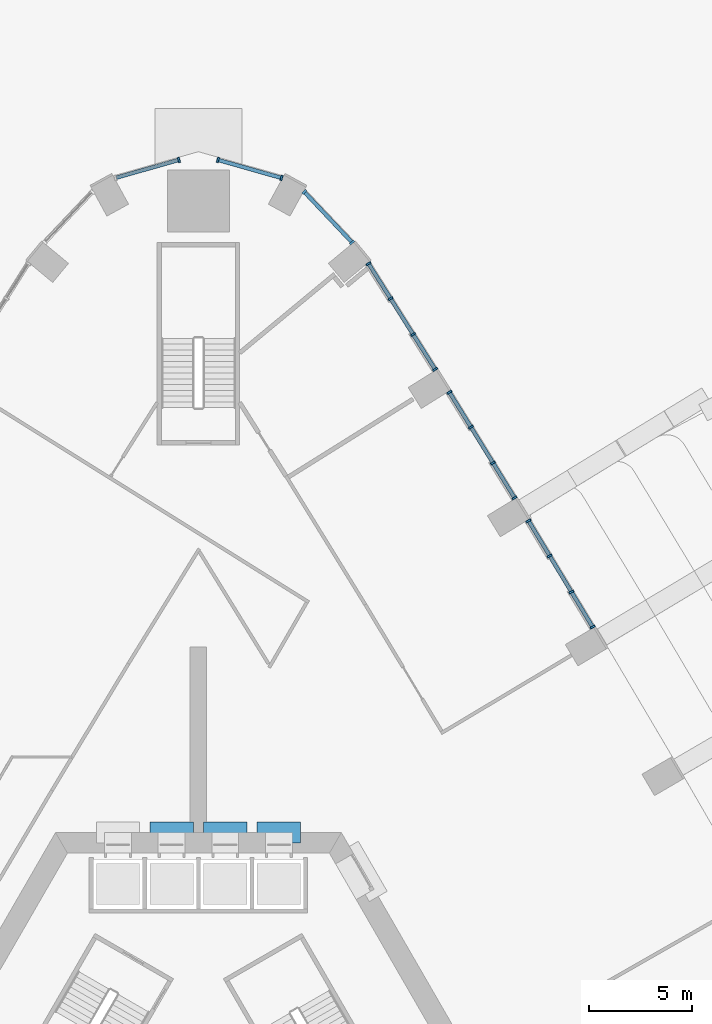
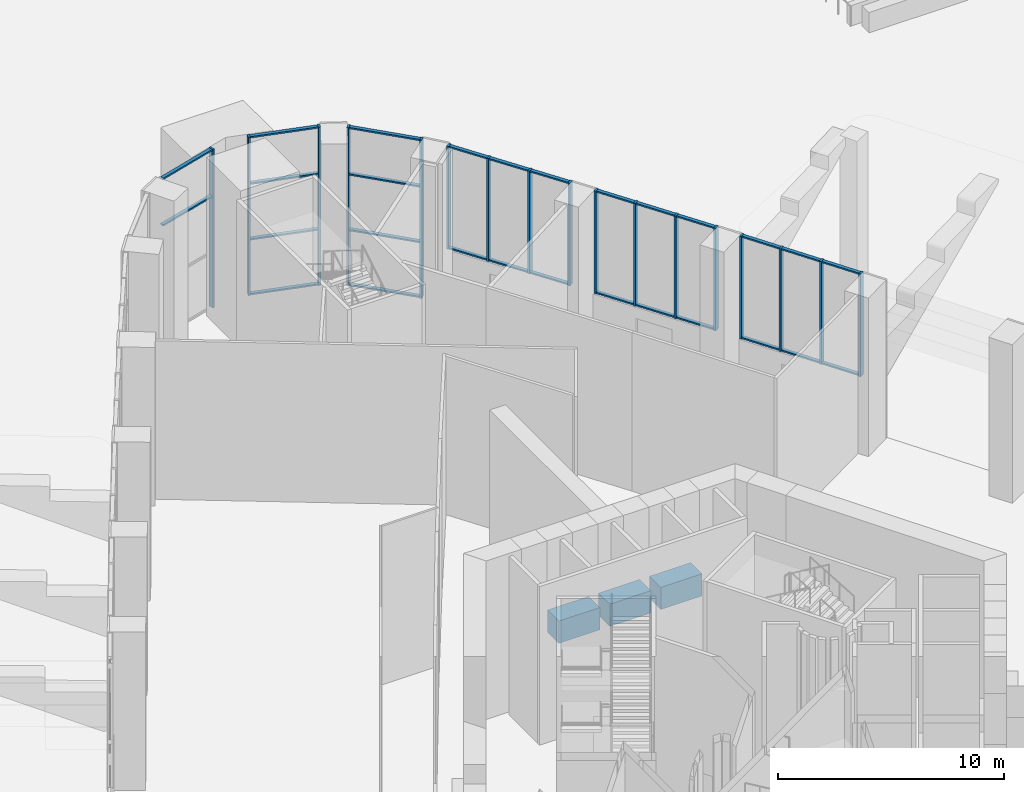
# One storey, part 9 of 36: 45 members, 3 beams, 6 elements without a shape of their own.
"""IFC4 building model written with IfcOpenShell, lengths in metres."""

from ifc_helpers import new_model, si_unit, direction, frame, origin, origin_2d, place, context, subcontext, project, spatial, rectangle, extrude, material, material_profile, profile_set, type_object, element, aggregate, save


model = new_model("IFC4")

# Units and contexts
model_context = context("Model", 3, precision=1e-05, world=origin(), true_north=direction((0.0, 1.0)))
body_context = subcontext(model_context, "Body", "Model", "MODEL_VIEW")
ifc_project = project(units=[si_unit("LENGTHUNIT", "METRE"), si_unit("AREAUNIT", "SQUARE_METRE"), si_unit("VOLUMEUNIT", "CUBIC_METRE"), si_unit("PLANEANGLEUNIT", "RADIAN"), si_unit("MASSUNIT", "GRAM", prefix="KILO")], contexts=[model_context])

# Site, building, storey
site_placement = place(None, origin())
site = spatial("IfcSite", under=ifc_project, at=site_placement, CompositionType="ELEMENT")
building_placement = place(site_placement, origin())
building = spatial("IfcBuilding", under=site, at=building_placement, Name="Entoto Arch Interchange Tower", CompositionType="ELEMENT")
storey_placement = place(building_placement, origin())
storey = spatial("IfcBuildingStorey", under=building, at=storey_placement, Name="L00", CompositionType="ELEMENT", Elevation=0.0)

# Beams
ifc_material_1 = material(Name="Concrete C60/75", Category="concrete")
ifc_material_profile_1 = material_profile(ifc_material_1, rectangle(XDim=1.0, YDim=1.199951171875, at=origin_2d()))
ifc_profile_set_1 = profile_set([ifc_material_profile_1], Name="Concrete C60/75")
beam_type = type_object("IfcBeamType", Name="Coupling beam RC 1000x1200 C60/75", PredefinedType="BEAM", material=ifc_profile_set_1)
beam_placement = place(storey_placement, frame((4.949951171875, 14.5, 3.0), z_axis=(-1.0, 0.0, 0.0), x_axis=(0.0, -1.0, 0.0)))
element("IfcBeam", 1, at=beam_placement, inside=storey, type_object=beam_type, Name="Coupling beam N L00", PredefinedType="BEAM", context=body_context, shape_type="SweptSolid", body=[
    extrude(rectangle(XDim=1.0, YDim=1.199951171875, at=origin_2d()), origin(), (0.0, 0.0, 1.0), 2.099853515625),
])
for number, where, z_axis, x_axis, name in (
    (2, (2.35009765625, 14.5, 3.0), (-1.0, 0.0, 0.0), (0.0, -1.0, 0.0), "Coupling beam N L00"),
    (3, (-0.25, 14.5, 3.0), (-1.0, 0.0, 0.0), (0.0, -1.0, 0.0), "Coupling beam N L00"),
):
    element("IfcBeam", number, at=place(storey_placement, frame(where, z_axis=z_axis, x_axis=x_axis)), inside=storey, type_object=beam_type, Name=name, PredefinedType="BEAM", context=body_context, shape_type="SweptSolid", body=[
        extrude(rectangle(XDim=1.0, YDim=1.199951171875, at=origin_2d()), origin(), (0.0, 0.0, 1.0), 2.10009765625),
    ])

# Curtain wall, members
ifc_material_2 = material(Name="Aluminium, anodised", Category="aluminium")
curtain_wall_type = type_object("IfcCurtainWallType", Name="CURTAIN WALL GATE HALL", PredefinedType="NOTDEFINED", material=ifc_material_2)
curtain_wall_1_placement = place(storey_placement, origin())
curtain_wall_1 = element("IfcCurtainWall", 4, at=curtain_wall_1_placement, inside=storey, type_object=curtain_wall_type, Name="Gate Hall glazing NE-07 L00", PredefinedType="NOTDEFINED")
ifc_material_profile_2 = material_profile(ifc_material_2, rectangle(XDim=0.25, YDim=0.10009765625, at=origin_2d()))
ifc_profile_set_2 = profile_set([ifc_material_profile_2], Name="Aluminium, anodised")
member_type_1 = type_object("IfcMemberType", Name="MULLION GATE HALL 100x250", PredefinedType="MULLION", material=ifc_profile_set_2)
member_1_placement = place(storey_placement, frame((19.111083984375, 24.462890625, 3.0), z_axis=(0.0, 0.0, 1.0), x_axis=(-0.856177687614, -0.516681494958, 0.0)))
member_1 = element("IfcMember", 5, at=member_1_placement, type_object=member_type_1, Name="CWG mullion 1", PredefinedType="MULLION", context=body_context, shape_type="SweptSolid", body=[
    extrude(rectangle(XDim=0.25, YDim=0.10009765625, at=origin_2d()), origin(), (0.0, 0.0, 1.0), 5.550048828125),
])
member_2_placement = place(storey_placement, frame((18.083251953125, 26.166015625, 3.0), z_axis=(0.0, 0.0, 1.0), x_axis=(-0.856177687614, -0.516681494958, 0.0)))
member_2 = element("IfcMember", 6, at=member_2_placement, type_object=member_type_1, Name="CWG mullion 2", PredefinedType="MULLION", context=body_context, shape_type="SweptSolid", body=[
    extrude(rectangle(XDim=0.25, YDim=0.10009765625, at=origin_2d()), origin(), (0.0, 0.0, 1.0), 5.550048828125),
])
member_3_placement = place(storey_placement, frame((17.02978515625, 27.912109375, 3.0), z_axis=(0.0, 0.0, 1.0), x_axis=(-0.856177687614, -0.516681494958, 0.0)))
member_3 = element("IfcMember", 7, at=member_3_placement, type_object=member_type_1, Name="CWG mullion 3", PredefinedType="MULLION", context=body_context, shape_type="SweptSolid", body=[
    extrude(rectangle(XDim=0.25, YDim=0.10009765625, at=origin_2d()), origin(), (0.0, 0.0, 1.0), 5.550048828125),
])
member_4_placement = place(storey_placement, frame((16.001953125, 29.615234375, 3.0), z_axis=(0.0, 0.0, 1.0), x_axis=(-0.856177687614, -0.516681494958, 0.0)))
member_4 = element("IfcMember", 8, at=member_4_placement, type_object=member_type_1, Name="CWG mullion 4", PredefinedType="MULLION", context=body_context, shape_type="SweptSolid", body=[
    extrude(rectangle(XDim=0.25, YDim=0.10009765625, at=origin_2d()), origin(), (0.0, 0.0, 1.0), 5.550048828125),
])

curtain_wall_2_placement = place(storey_placement, origin())
curtain_wall_2 = element("IfcCurtainWall", 9, at=curtain_wall_2_placement, inside=storey, type_object=curtain_wall_type, Name="Gate Hall glazing NE-08 L00", PredefinedType="NOTDEFINED")
member_5_placement = place(storey_placement, frame((15.32470703125, 30.7275390625, 3.0), z_axis=(0.0, 0.0, 1.0), x_axis=(-0.851096618494, -0.525009091339, 0.0)))
member_5 = element("IfcMember", 10, at=member_5_placement, type_object=member_type_1, Name="CWG mullion 1", PredefinedType="MULLION", context=body_context, shape_type="SweptSolid", body=[
    extrude(rectangle(XDim=0.25, YDim=0.10009765625, at=origin_2d()), origin(), (0.0, 0.0, 1.0), 5.550048828125),
])
member_6_placement = place(storey_placement, frame((14.2802734375, 32.420654296875, 3.0), z_axis=(0.0, 0.0, 1.0), x_axis=(-0.851096618494, -0.525009091339, 0.0)))
member_6 = element("IfcMember", 11, at=member_6_placement, type_object=member_type_1, Name="CWG mullion 2", PredefinedType="MULLION", context=body_context, shape_type="SweptSolid", body=[
    extrude(rectangle(XDim=0.25, YDim=0.10009765625, at=origin_2d()), origin(), (0.0, 0.0, 1.0), 5.550048828125),
])
member_7_placement = place(storey_placement, frame((13.209716796875, 34.15625, 3.0), z_axis=(0.0, 0.0, 1.0), x_axis=(-0.851096618494, -0.525009091339, 0.0)))
member_7 = element("IfcMember", 12, at=member_7_placement, type_object=member_type_1, Name="CWG mullion 3", PredefinedType="MULLION", context=body_context, shape_type="SweptSolid", body=[
    extrude(rectangle(XDim=0.25, YDim=0.10009765625, at=origin_2d()), origin(), (0.0, 0.0, 1.0), 5.550048828125),
])
member_8_placement = place(storey_placement, frame((12.165283203125, 35.849365234375, 3.0), z_axis=(0.0, 0.0, 1.0), x_axis=(-0.851096618494, -0.525009091339, 0.0)))
member_8 = element("IfcMember", 13, at=member_8_placement, type_object=member_type_1, Name="CWG mullion 4", PredefinedType="MULLION", context=body_context, shape_type="SweptSolid", body=[
    extrude(rectangle(XDim=0.25, YDim=0.10009765625, at=origin_2d()), origin(), (0.0, 0.0, 1.0), 5.550048828125),
])

curtain_wall_3_placement = place(storey_placement, origin())
curtain_wall_3 = element("IfcCurtainWall", 14, at=curtain_wall_3_placement, inside=storey, type_object=curtain_wall_type, Name="Gate Hall glazing NE-09 L00", PredefinedType="NOTDEFINED")
member_9_placement = place(storey_placement, frame((11.477294921875, 36.954345703125, 3.0), z_axis=(0.0, 0.0, 1.0), x_axis=(-0.845959022564, -0.533247908708, 0.0)))
member_9 = element("IfcMember", 15, at=member_9_placement, type_object=member_type_1, Name="CWG mullion 1", PredefinedType="MULLION", context=body_context, shape_type="SweptSolid", body=[
    extrude(rectangle(XDim=0.25, YDim=0.10009765625, at=origin_2d()), origin(), (0.0, 0.0, 1.0), 5.550048828125),
])
member_10_placement = place(storey_placement, frame((10.40869140625, 38.649658203125, 3.0), z_axis=(0.0, 0.0, 1.0), x_axis=(-0.845959022564, -0.533247908708, 0.0)))
member_10 = element("IfcMember", 16, at=member_10_placement, type_object=member_type_1, Name="CWG mullion 2", PredefinedType="MULLION", context=body_context, shape_type="SweptSolid", body=[
    extrude(rectangle(XDim=0.25, YDim=0.10009765625, at=origin_2d()), origin(), (0.0, 0.0, 1.0), 5.550048828125),
])
member_11_placement = place(storey_placement, frame((9.313232421875, 40.387451171875, 3.0), z_axis=(0.0, 0.0, 1.0), x_axis=(-0.845959022564, -0.533247908708, 0.0)))
member_11 = element("IfcMember", 17, at=member_11_placement, type_object=member_type_1, Name="CWG mullion 3", PredefinedType="MULLION", context=body_context, shape_type="SweptSolid", body=[
    extrude(rectangle(XDim=0.25, YDim=0.10009765625, at=origin_2d()), origin(), (0.0, 0.0, 1.0), 5.550048828125),
])
member_12_placement = place(storey_placement, frame((8.24462890625, 42.082763671875, 3.0), z_axis=(0.0, 0.0, 1.0), x_axis=(-0.845959022564, -0.533247908708, 0.0)))
member_12 = element("IfcMember", 18, at=member_12_placement, type_object=member_type_1, Name="CWG mullion 4", PredefinedType="MULLION", context=body_context, shape_type="SweptSolid", body=[
    extrude(rectangle(XDim=0.25, YDim=0.10009765625, at=origin_2d()), origin(), (0.0, 0.0, 1.0), 5.550048828125),
])

curtain_wall_4_placement = place(storey_placement, origin())
curtain_wall_4 = element("IfcCurtainWall", 19, at=curtain_wall_4_placement, inside=storey, type_object=curtain_wall_type, Name="Gate Hall glazing N-01 L00", PredefinedType="NOTDEFINED")
member_13_placement = place(storey_placement, frame((7.44775390625, 43.111328125, 0.0), z_axis=(0.0, 0.0, 1.0), x_axis=(-0.726725176069, -0.686928321201, 0.0)))
member_13 = element("IfcMember", 20, at=member_13_placement, type_object=member_type_1, Name="CWG mullion 1", PredefinedType="MULLION", context=body_context, shape_type="SweptSolid", body=[
    extrude(rectangle(XDim=0.25, YDim=0.10009765625, at=origin_2d()), origin(), (0.0, 0.0, 1.0), 8.550048828125),
])
member_14_placement = place(storey_placement, frame((5.13427734375, 45.55859375, 0.0), z_axis=(0.0, 0.0, 1.0), x_axis=(-0.726725176069, -0.686928321201, 0.0)))
member_14 = element("IfcMember", 21, at=member_14_placement, type_object=member_type_1, Name="CWG mullion 2", PredefinedType="MULLION", context=body_context, shape_type="SweptSolid", body=[
    extrude(rectangle(XDim=0.25, YDim=0.10009765625, at=origin_2d()), origin(), (0.0, 0.0, 1.0), 8.550048828125),
])

curtain_wall_5_placement = place(storey_placement, origin())
curtain_wall_5 = element("IfcCurtainWall", 22, at=curtain_wall_5_placement, inside=storey, type_object=curtain_wall_type, Name="Gate Hall glazing N-02 L00", PredefinedType="NOTDEFINED")
member_15_placement = place(storey_placement, frame((4.02587890625, 46.23876953125, 0.0), z_axis=(0.0, 0.0, 1.0), x_axis=(-0.273280275934, -0.961934452437, 0.0)))
member_15 = element("IfcMember", 23, at=member_15_placement, type_object=member_type_1, Name="CWG mullion 1", PredefinedType="MULLION", context=body_context, shape_type="SweptSolid", body=[
    extrude(rectangle(XDim=0.25, YDim=0.10009765625, at=origin_2d()), origin(), (0.0, 0.0, 1.0), 8.550048828125),
])
member_16_placement = place(storey_placement, frame((0.947021484375, 47.11328125, 0.0), z_axis=(0.0, 0.0, 1.0), x_axis=(-0.273280275934, -0.961934452437, 0.0)))
member_16 = element("IfcMember", 24, at=member_16_placement, type_object=member_type_1, Name="CWG mullion 2", PredefinedType="MULLION", context=body_context, shape_type="SweptSolid", body=[
    extrude(rectangle(XDim=0.25, YDim=0.10009765625, at=origin_2d()), origin(), (0.0, 0.0, 1.0), 8.550048828125),
])

# Curtain wall, member
curtain_wall_6_placement = place(storey_placement, origin())
curtain_wall_6 = element("IfcCurtainWall", 25, at=curtain_wall_6_placement, inside=storey, type_object=curtain_wall_type, Name="Gate Hall glazing N-03 L00", PredefinedType="NOTDEFINED")
member_17_placement = place(storey_placement, frame((-0.947021484375, 47.11328125, 0.0), z_axis=(0.0, 0.0, 1.0), x_axis=(0.273280275934, -0.961934452437, 0.0)))
member_17 = element("IfcMember", 26, at=member_17_placement, type_object=member_type_1, Name="CWG mullion 1", PredefinedType="MULLION", context=body_context, shape_type="SweptSolid", body=[
    extrude(rectangle(XDim=0.25, YDim=0.10009765625, at=origin_2d()), origin(), (0.0, 0.0, 1.0), 8.550048828125),
])

# Member
ifc_material_profile_3 = material_profile(ifc_material_2, rectangle(XDim=0.179931640625, YDim=0.080078125, at=origin_2d()))
ifc_profile_set_3 = profile_set([ifc_material_profile_3], Name="Aluminium, anodised")
member_type_2 = type_object("IfcMemberType", Name="TRANSOM GATE HALL 80x180", PredefinedType="USERDEFINED", material=ifc_profile_set_3)
member_18_placement = place(storey_placement, frame((19.08544921875, 24.505615234375, 3.0400390625), z_axis=(-0.516717225965, 0.856156123842, 0.0), x_axis=(-0.856156123842, -0.516717225965, 0.0)))
member_18 = element("IfcMember", 27, at=member_18_placement, type_object=member_type_2, Name="CWG transom 1.1", ObjectType="TRANSOM", PredefinedType="USERDEFINED", context=body_context, shape_type="SweptSolid", body=[
    extrude(rectangle(XDim=0.179931640625, YDim=0.080078125, at=origin_2d()), origin(), (0.0, 0.0, 1.0), 1.889404296875),
])

member_19_placement = place(storey_placement, frame((19.08544921875, 24.505615234375, 8.510009765625), z_axis=(-0.516717225965, 0.856156123842, 0.0), x_axis=(-0.856156123842, -0.516717225965, 0.0)))
member_19 = element("IfcMember", 28, at=member_19_placement, type_object=member_type_2, Name="CWG transom 1.2", ObjectType="TRANSOM", PredefinedType="USERDEFINED", context=body_context, shape_type="SweptSolid", body=[
    extrude(rectangle(XDim=0.179931640625, YDim=0.080078125, at=origin_2d()), origin(), (0.0, 0.0, 1.0), 1.889404296875),
])

member_20_placement = place(storey_placement, frame((18.0576171875, 26.208740234375, 3.0400390625), z_axis=(-0.516752472031, 0.856134850739, 0.0), x_axis=(-0.856134850739, -0.516752472031, 0.0)))
member_20 = element("IfcMember", 29, at=member_20_placement, type_object=member_type_2, Name="CWG transom 2.1", ObjectType="TRANSOM", PredefinedType="USERDEFINED", context=body_context, shape_type="SweptSolid", body=[
    extrude(rectangle(XDim=0.179931640625, YDim=0.080078125, at=origin_2d()), origin(), (0.0, 0.0, 1.0), 1.939453125),
])

member_21_placement = place(storey_placement, frame((18.0576171875, 26.208740234375, 8.510009765625), z_axis=(-0.516752472031, 0.856134850739, 0.0), x_axis=(-0.856134850739, -0.516752472031, 0.0)))
member_21 = element("IfcMember", 30, at=member_21_placement, type_object=member_type_2, Name="CWG transom 2.2", ObjectType="TRANSOM", PredefinedType="USERDEFINED", context=body_context, shape_type="SweptSolid", body=[
    extrude(rectangle(XDim=0.179931640625, YDim=0.080078125, at=origin_2d()), origin(), (0.0, 0.0, 1.0), 1.939453125),
])

member_22_placement = place(storey_placement, frame((17.00390625, 27.954833984375, 3.0400390625), z_axis=(-0.516774393141, 0.856121619044, 0.0), x_axis=(-0.856121619044, -0.516774393141, 0.0)))
member_22 = element("IfcMember", 31, at=member_22_placement, type_object=member_type_2, Name="CWG transom 3.1", ObjectType="TRANSOM", PredefinedType="USERDEFINED", context=body_context, shape_type="SweptSolid", body=[
    extrude(rectangle(XDim=0.179931640625, YDim=0.080078125, at=origin_2d()), origin(), (0.0, 0.0, 1.0), 1.88916015625),
])

member_23_placement = place(storey_placement, frame((17.00390625, 27.954833984375, 8.510009765625), z_axis=(-0.516774393141, 0.856121619044, 0.0), x_axis=(-0.856121619044, -0.516774393141, 0.0)))
member_23 = element("IfcMember", 32, at=member_23_placement, type_object=member_type_2, Name="CWG transom 3.2", ObjectType="TRANSOM", PredefinedType="USERDEFINED", context=body_context, shape_type="SweptSolid", body=[
    extrude(rectangle(XDim=0.179931640625, YDim=0.080078125, at=origin_2d()), origin(), (0.0, 0.0, 1.0), 1.88916015625),
])

aggregate(curtain_wall_1, [member_1, member_2, member_3, member_4, member_18, member_19, member_20, member_21, member_22, member_23])

member_24_placement = place(storey_placement, frame((15.298583984375, 30.77001953125, 3.0400390625), z_axis=(-0.524983872161, 0.851112174729, 0.0), x_axis=(-0.851112174729, -0.524983872161, 0.0)))
member_24 = element("IfcMember", 33, at=member_24_placement, type_object=member_type_2, Name="CWG transom 1.1", ObjectType="TRANSOM", PredefinedType="USERDEFINED", context=body_context, shape_type="SweptSolid", body=[
    extrude(rectangle(XDim=0.179931640625, YDim=0.080078125, at=origin_2d()), origin(), (0.0, 0.0, 1.0), 1.889404296875),
])

member_25_placement = place(storey_placement, frame((15.298583984375, 30.77001953125, 8.510009765625), z_axis=(-0.524983872161, 0.851112174729, 0.0), x_axis=(-0.851112174729, -0.524983872161, 0.0)))
member_25 = element("IfcMember", 34, at=member_25_placement, type_object=member_type_2, Name="CWG transom 1.2", ObjectType="TRANSOM", PredefinedType="USERDEFINED", context=body_context, shape_type="SweptSolid", body=[
    extrude(rectangle(XDim=0.179931640625, YDim=0.080078125, at=origin_2d()), origin(), (0.0, 0.0, 1.0), 1.889404296875),
])

member_26_placement = place(storey_placement, frame((14.254150390625, 32.463134765625, 3.0400390625), z_axis=(-0.525045252391, 0.851074311057, 0.0), x_axis=(-0.851074311057, -0.525045252391, 0.0)))
member_26 = element("IfcMember", 35, at=member_26_placement, type_object=member_type_2, Name="CWG transom 2.1", ObjectType="TRANSOM", PredefinedType="USERDEFINED", context=body_context, shape_type="SweptSolid", body=[
    extrude(rectangle(XDim=0.179931640625, YDim=0.080078125, at=origin_2d()), origin(), (0.0, 0.0, 1.0), 1.939453125),
])

member_27_placement = place(storey_placement, frame((14.254150390625, 32.463134765625, 8.510009765625), z_axis=(-0.525045252391, 0.851074311057, 0.0), x_axis=(-0.851074311057, -0.525045252391, 0.0)))
member_27 = element("IfcMember", 36, at=member_27_placement, type_object=member_type_2, Name="CWG transom 2.2", ObjectType="TRANSOM", PredefinedType="USERDEFINED", context=body_context, shape_type="SweptSolid", body=[
    extrude(rectangle(XDim=0.179931640625, YDim=0.080078125, at=origin_2d()), origin(), (0.0, 0.0, 1.0), 1.939453125),
])

member_28_placement = place(storey_placement, frame((13.183349609375, 34.198974609375, 3.0400390625), z_axis=(-0.525041611336, 0.851076557288, 0.0), x_axis=(-0.851076557288, -0.525041611336, 0.0)))
member_28 = element("IfcMember", 37, at=member_28_placement, type_object=member_type_2, Name="CWG transom 3.1", ObjectType="TRANSOM", PredefinedType="USERDEFINED", context=body_context, shape_type="SweptSolid", body=[
    extrude(rectangle(XDim=0.179931640625, YDim=0.080078125, at=origin_2d()), origin(), (0.0, 0.0, 1.0), 1.88916015625),
])

member_29_placement = place(storey_placement, frame((13.183349609375, 34.198974609375, 8.510009765625), z_axis=(-0.525041611336, 0.851076557288, 0.0), x_axis=(-0.851076557288, -0.525041611336, 0.0)))
member_29 = element("IfcMember", 38, at=member_29_placement, type_object=member_type_2, Name="CWG transom 3.2", ObjectType="TRANSOM", PredefinedType="USERDEFINED", context=body_context, shape_type="SweptSolid", body=[
    extrude(rectangle(XDim=0.179931640625, YDim=0.080078125, at=origin_2d()), origin(), (0.0, 0.0, 1.0), 1.88916015625),
])

aggregate(curtain_wall_2, [member_5, member_6, member_7, member_8, member_24, member_25, member_26, member_27, member_28, member_29])

member_30_placement = place(storey_placement, frame((11.45068359375, 36.99658203125, 3.0400390625), z_axis=(-0.533245074876, 0.845960808856, 0.0), x_axis=(-0.845960808856, -0.533245074876, 0.0)))
member_30 = element("IfcMember", 39, at=member_30_placement, type_object=member_type_2, Name="CWG transom 1.1", ObjectType="TRANSOM", PredefinedType="USERDEFINED", context=body_context, shape_type="SweptSolid", body=[
    extrude(rectangle(XDim=0.179931640625, YDim=0.080078125, at=origin_2d()), origin(), (0.0, 0.0, 1.0), 1.904052734375),
])

member_31_placement = place(storey_placement, frame((11.45068359375, 36.99658203125, 8.510009765625), z_axis=(-0.533245074876, 0.845960808856, 0.0), x_axis=(-0.845960808856, -0.533245074876, 0.0)))
member_31 = element("IfcMember", 40, at=member_31_placement, type_object=member_type_2, Name="CWG transom 1.2", ObjectType="TRANSOM", PredefinedType="USERDEFINED", context=body_context, shape_type="SweptSolid", body=[
    extrude(rectangle(XDim=0.179931640625, YDim=0.080078125, at=origin_2d()), origin(), (0.0, 0.0, 1.0), 1.904052734375),
])

member_32_placement = place(storey_placement, frame((10.382080078125, 38.69189453125, 3.0400390625), z_axis=(-0.533240670635, 0.845963585021, 0.0), x_axis=(-0.845963585021, -0.533240670635, 0.0)))
member_32 = element("IfcMember", 41, at=member_32_placement, type_object=member_type_2, Name="CWG transom 2.1", ObjectType="TRANSOM", PredefinedType="USERDEFINED", context=body_context, shape_type="SweptSolid", body=[
    extrude(rectangle(XDim=0.179931640625, YDim=0.080078125, at=origin_2d()), origin(), (0.0, 0.0, 1.0), 1.9541015625),
])

member_33_placement = place(storey_placement, frame((10.382080078125, 38.69189453125, 8.510009765625), z_axis=(-0.533240670635, 0.845963585021, 0.0), x_axis=(-0.845963585021, -0.533240670635, 0.0)))
member_33 = element("IfcMember", 42, at=member_33_placement, type_object=member_type_2, Name="CWG transom 2.2", ObjectType="TRANSOM", PredefinedType="USERDEFINED", context=body_context, shape_type="SweptSolid", body=[
    extrude(rectangle(XDim=0.179931640625, YDim=0.080078125, at=origin_2d()), origin(), (0.0, 0.0, 1.0), 1.9541015625),
])

member_34_placement = place(storey_placement, frame((9.28662109375, 40.4296875, 3.0400390625), z_axis=(-0.533302918138, 0.845924345025, 0.0), x_axis=(-0.845924345025, -0.533302918138, 0.0)))
member_34 = element("IfcMember", 43, at=member_34_placement, type_object=member_type_2, Name="CWG transom 3.1", ObjectType="TRANSOM", PredefinedType="USERDEFINED", context=body_context, shape_type="SweptSolid", body=[
    extrude(rectangle(XDim=0.179931640625, YDim=0.080078125, at=origin_2d()), origin(), (0.0, 0.0, 1.0), 1.904052734375),
])

member_35_placement = place(storey_placement, frame((9.28662109375, 40.4296875, 8.510009765625), z_axis=(-0.533302918138, 0.845924345025, 0.0), x_axis=(-0.845924345025, -0.533302918138, 0.0)))
member_35 = element("IfcMember", 44, at=member_35_placement, type_object=member_type_2, Name="CWG transom 3.2", ObjectType="TRANSOM", PredefinedType="USERDEFINED", context=body_context, shape_type="SweptSolid", body=[
    extrude(rectangle(XDim=0.179931640625, YDim=0.080078125, at=origin_2d()), origin(), (0.0, 0.0, 1.0), 1.904052734375),
])

aggregate(curtain_wall_3, [member_9, member_10, member_11, member_12, member_30, member_31, member_32, member_33, member_34, member_35])

member_36_placement = place(storey_placement, frame((7.413330078125, 43.147705078125, 0.0400390625), z_axis=(-0.686952560838, 0.726702263075, 0.0), x_axis=(-0.726702263075, -0.686952560838, 0.0)))
member_36 = element("IfcMember", 45, at=member_36_placement, type_object=member_type_2, Name="CWG transom 1.1", ObjectType="TRANSOM", PredefinedType="USERDEFINED", context=body_context, shape_type="SweptSolid", body=[
    extrude(rectangle(XDim=0.179931640625, YDim=0.080078125, at=origin_2d()), origin(), (0.0, 0.0, 1.0), 3.267578125),
])

member_37_placement = place(storey_placement, frame((7.413330078125, 43.147705078125, 3.0), z_axis=(-0.686952560838, 0.726702263075, 0.0), x_axis=(-0.726702263075, -0.686952560838, 0.0)))
member_37 = element("IfcMember", 46, at=member_37_placement, type_object=member_type_2, Name="CWG transom 1.2", ObjectType="TRANSOM", PredefinedType="USERDEFINED", context=body_context, shape_type="SweptSolid", body=[
    extrude(rectangle(XDim=0.179931640625, YDim=0.080078125, at=origin_2d()), origin(), (0.0, 0.0, 1.0), 3.267578125),
])

member_38_placement = place(storey_placement, frame((7.413330078125, 43.147705078125, 6.0), z_axis=(-0.686952560838, 0.726702263075, 0.0), x_axis=(-0.726702263075, -0.686952560838, 0.0)))
member_38 = element("IfcMember", 47, at=member_38_placement, type_object=member_type_2, Name="CWG transom 1.3", ObjectType="TRANSOM", PredefinedType="USERDEFINED", context=body_context, shape_type="SweptSolid", body=[
    extrude(rectangle(XDim=0.179931640625, YDim=0.080078125, at=origin_2d()), origin(), (0.0, 0.0, 1.0), 3.267578125),
])

member_39_placement = place(storey_placement, frame((7.413330078125, 43.147705078125, 8.510009765625), z_axis=(-0.686952560838, 0.726702263075, 0.0), x_axis=(-0.726702263075, -0.686952560838, 0.0)))
member_39 = element("IfcMember", 48, at=member_39_placement, type_object=member_type_2, Name="CWG transom 1.4", ObjectType="TRANSOM", PredefinedType="USERDEFINED", context=body_context, shape_type="SweptSolid", body=[
    extrude(rectangle(XDim=0.179931640625, YDim=0.080078125, at=origin_2d()), origin(), (0.0, 0.0, 1.0), 3.267578125),
])

aggregate(curtain_wall_4, [member_13, member_14, member_36, member_37, member_38, member_39])

member_40_placement = place(storey_placement, frame((3.977783203125, 46.25244140625, 0.0400390625), z_axis=(-0.961950644588, 0.273223273858, 0.0), x_axis=(-0.273223273858, -0.961950644588, 0.0)))
member_40 = element("IfcMember", 49, at=member_40_placement, type_object=member_type_2, Name="CWG transom 1.1", ObjectType="TRANSOM", PredefinedType="USERDEFINED", context=body_context, shape_type="SweptSolid", body=[
    extrude(rectangle(XDim=0.179931640625, YDim=0.080078125, at=origin_2d()), origin(), (0.0, 0.0, 1.0), 3.1005859375),
])

member_41_placement = place(storey_placement, frame((3.977783203125, 46.25244140625, 3.0), z_axis=(-0.961950644588, 0.273223273858, 0.0), x_axis=(-0.273223273858, -0.961950644588, 0.0)))
member_41 = element("IfcMember", 50, at=member_41_placement, type_object=member_type_2, Name="CWG transom 1.2", ObjectType="TRANSOM", PredefinedType="USERDEFINED", context=body_context, shape_type="SweptSolid", body=[
    extrude(rectangle(XDim=0.179931640625, YDim=0.080078125, at=origin_2d()), origin(), (0.0, 0.0, 1.0), 3.1005859375),
])

member_42_placement = place(storey_placement, frame((3.977783203125, 46.25244140625, 6.0), z_axis=(-0.961950644588, 0.273223273858, 0.0), x_axis=(-0.273223273858, -0.961950644588, 0.0)))
member_42 = element("IfcMember", 51, at=member_42_placement, type_object=member_type_2, Name="CWG transom 1.3", ObjectType="TRANSOM", PredefinedType="USERDEFINED", context=body_context, shape_type="SweptSolid", body=[
    extrude(rectangle(XDim=0.179931640625, YDim=0.080078125, at=origin_2d()), origin(), (0.0, 0.0, 1.0), 3.1005859375),
])

member_43_placement = place(storey_placement, frame((3.977783203125, 46.25244140625, 8.510009765625), z_axis=(-0.961950644588, 0.273223273858, 0.0), x_axis=(-0.273223273858, -0.961950644588, 0.0)))
member_43 = element("IfcMember", 52, at=member_43_placement, type_object=member_type_2, Name="CWG transom 1.4", ObjectType="TRANSOM", PredefinedType="USERDEFINED", context=body_context, shape_type="SweptSolid", body=[
    extrude(rectangle(XDim=0.179931640625, YDim=0.080078125, at=origin_2d()), origin(), (0.0, 0.0, 1.0), 3.1005859375),
])

aggregate(curtain_wall_5, [member_15, member_16, member_40, member_41, member_42, member_43])

member_44_placement = place(storey_placement, frame((-0.9951171875, 47.099609375, 6.0), z_axis=(-0.961950644588, -0.273223273858, 0.0), x_axis=(0.273223273858, -0.961950644588, 0.0)))
member_44 = element("IfcMember", 53, at=member_44_placement, type_object=member_type_2, Name="CWG transom 1.3", ObjectType="TRANSOM", PredefinedType="USERDEFINED", context=body_context, shape_type="SweptSolid", body=[
    extrude(rectangle(XDim=0.179931640625, YDim=0.080078125, at=origin_2d()), origin(), (0.0, 0.0, 1.0), 3.1005859375),
])

member_45_placement = place(storey_placement, frame((-0.9951171875, 47.099609375, 8.510009765625), z_axis=(-0.961950644588, -0.273223273858, 0.0), x_axis=(0.273223273858, -0.961950644588, 0.0)))
member_45 = element("IfcMember", 54, at=member_45_placement, type_object=member_type_2, Name="CWG transom 1.4", ObjectType="TRANSOM", PredefinedType="USERDEFINED", context=body_context, shape_type="SweptSolid", body=[
    extrude(rectangle(XDim=0.179931640625, YDim=0.080078125, at=origin_2d()), origin(), (0.0, 0.0, 1.0), 3.1005859375),
])

aggregate(curtain_wall_6, [member_17, member_44, member_45])

save(model, "model.ifc")
